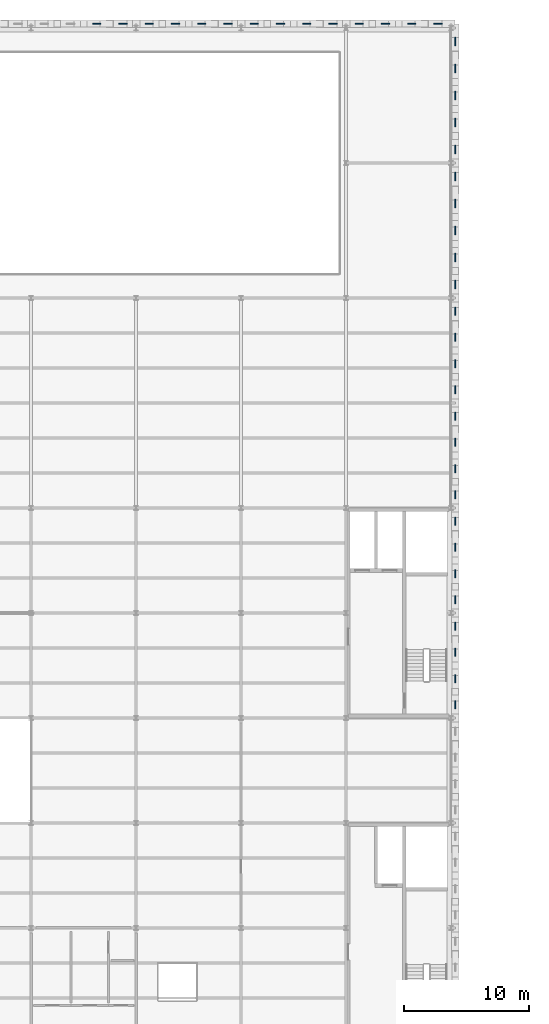
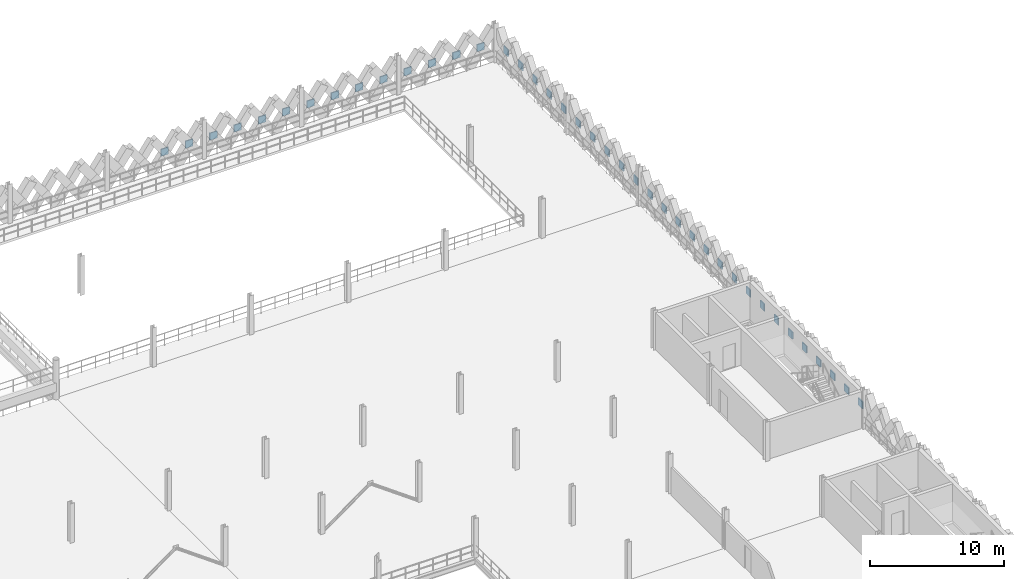
# One storey, part 57 of 74: 40 plates.
"""IFC4 building model written with IfcOpenShell, lengths in metres."""

from ifc_helpers import new_model, si_unit, direction, frame, origin, origin_2d, place, context, subcontext, project, spatial, rectangle, extrude, material, layer, layer_set, type_object, element, save


model = new_model("IFC4")

# Units and contexts
model_context = context("Model", 3, precision=1e-05, world=origin(), true_north=direction((0.0, 1.0)))
body_context = subcontext(model_context, "Body", "Model", "MODEL_VIEW")
ifc_project = project(units=[si_unit("LENGTHUNIT", "METRE"), si_unit("AREAUNIT", "SQUARE_METRE"), si_unit("VOLUMEUNIT", "CUBIC_METRE"), si_unit("PLANEANGLEUNIT", "RADIAN"), si_unit("MASSUNIT", "GRAM", prefix="KILO"), si_unit("THERMODYNAMICTEMPERATUREUNIT", "KELVIN"), si_unit("POWERUNIT", "WATT")], contexts=[model_context])

# Site, building, storey
site_placement = place(None, origin())
site = spatial("IfcSite", under=ifc_project, at=site_placement, CompositionType="ELEMENT")
building_placement = place(site_placement, origin())
building = spatial("IfcBuilding", under=site, at=building_placement, Name="Tembeka Court Mobility Hub", CompositionType="ELEMENT")
storey_placement = place(building_placement, frame((0.0, 0.0, 12.60009765625)))
storey = spatial("IfcBuildingStorey", under=building, at=storey_placement, Name="L03", CompositionType="ELEMENT", Elevation=12.60009765625)

# Plates
ifc_material = material(Name="Precast concrete C45/55", Category="concrete")
ifc_layer = layer(ifc_material, 0.090087890625)
ifc_layer_set = layer_set([ifc_layer], Name="Precast concrete C45/55")
plate_type = type_object("IfcPlateType", Name="PL-PC01", PredefinedType="SHEET", material=ifc_layer_set)
for number, where, z_axis, x_axis, name in (
    (1, (64.050048828125, 119.139892578125, 1.159912109375), (0.0, 0.0, 1.0), (1.0, 0.0, 0.0), "Precast diamond lattice node plate PCN01 (L03-463)"),
    (2, (66.14990234375, 119.139892578125, 1.159912109375), (0.0, 0.0, 1.0), (1.0, 0.0, 0.0), "Precast diamond lattice node plate PCN01 (L03-464)"),
    (3, (68.25, 119.139892578125, 1.159912109375), (0.0, 0.0, 1.0), (1.0, 0.0, 0.0), "Precast diamond lattice node plate PCN01 (L03-465)"),
    (4, (70.35009765625, 119.139892578125, 1.159912109375), (0.0, 0.0, 1.0), (1.0, 0.0, 0.0), "Precast diamond lattice node plate PCN01 (L03-466)"),
    (5, (72.449951171875, 119.139892578125, 1.159912109375), (0.0, 0.0, 1.0), (1.0, 0.0, 0.0), "Precast diamond lattice node plate PCN01 (L03-467)"),
    (6, (74.550048828125, 119.139892578125, 1.159912109375), (0.0, 0.0, 1.0), (1.0, 0.0, 0.0), "Precast diamond lattice node plate PCN01 (L03-468)"),
    (7, (76.64990234375, 119.139892578125, 1.159912109375), (0.0, 0.0, 1.0), (1.0, 0.0, 0.0), "Precast diamond lattice node plate PCN01 (L03-469)"),
    (8, (78.75, 119.139892578125, 1.159912109375), (0.0, 0.0, 1.0), (1.0, 0.0, 0.0), "Precast diamond lattice node plate PCN01 (L03-470)"),
    (9, (80.85009765625, 119.139892578125, 1.159912109375), (0.0, 0.0, 1.0), (1.0, 0.0, 0.0), "Precast diamond lattice node plate PCN01 (L03-471)"),
    (10, (82.949951171875, 119.139892578125, 1.159912109375), (0.0, 0.0, 1.0), (1.0, 0.0, 0.0), "Precast diamond lattice node plate PCN01 (L03-472)"),
    (11, (85.050048828125, 119.139892578125, 1.159912109375), (0.0, 0.0, 1.0), (1.0, 0.0, 0.0), "Precast diamond lattice node plate PCN01 (L03-473)"),
    (12, (87.14990234375, 119.139892578125, 1.159912109375), (0.0, 0.0, 1.0), (1.0, 0.0, 0.0), "Precast diamond lattice node plate PCN01 (L03-474)"),
    (13, (89.25, 119.139892578125, 1.159912109375), (0.0, 0.0, 1.0), (1.0, 0.0, 0.0), "Precast diamond lattice node plate PCN01 (L03-475)"),
    (14, (91.35009765625, 119.139892578125, 1.159912109375), (0.0, 0.0, 1.0), (1.0, 0.0, 0.0), "Precast diamond lattice node plate PCN01 (L03-476)"),
):
    element("IfcPlate", number, at=place(storey_placement, frame(where, z_axis=z_axis, x_axis=x_axis)), inside=storey, type_object=plate_type, Name=name, PredefinedType="SHEET", context=body_context, shape_type="SweptSolid", body=[
        extrude(rectangle(XDim=0.64990234375, YDim=0.090087890625, at=origin_2d()), origin(), (0.0, 0.0, 1.0), 0.64990234375),
    ])
for number, where, z_axis, x_axis, name in (
    (15, (92.739990234375, 64.64990234375, 1.159912109375), (0.0, 0.0, 1.0), (1.0, 0.0, 0.0), "Precast diamond lattice node plate PCN01 (L03-563)"),
    (16, (92.739990234375, 66.75, 1.159912109375), (0.0, 0.0, 1.0), (1.0, 0.0, 0.0), "Precast diamond lattice node plate PCN01 (L03-564)"),
    (17, (92.739990234375, 68.85009765625, 1.159912109375), (0.0, 0.0, 1.0), (1.0, 0.0, 0.0), "Precast diamond lattice node plate PCN01 (L03-565)"),
    (18, (92.739990234375, 70.949951171875, 1.159912109375), (0.0, 0.0, 1.0), (1.0, 0.0, 0.0), "Precast diamond lattice node plate PCN01 (L03-566)"),
    (19, (92.739990234375, 73.050048828125, 1.159912109375), (0.0, 0.0, 1.0), (1.0, 0.0, 0.0), "Precast diamond lattice node plate PCN01 (L03-567)"),
    (20, (92.739990234375, 75.14990234375, 1.159912109375), (0.0, 0.0, 1.0), (1.0, 0.0, 0.0), "Precast diamond lattice node plate PCN01 (L03-568)"),
    (21, (92.739990234375, 77.25, 1.159912109375), (0.0, 0.0, 1.0), (1.0, 0.0, 0.0), "Precast diamond lattice node plate PCN01 (L03-569)"),
    (22, (92.739990234375, 79.35009765625, 1.159912109375), (0.0, 0.0, 1.0), (1.0, 0.0, 0.0), "Precast diamond lattice node plate PCN01 (L03-570)"),
    (23, (92.739990234375, 81.449951171875, 1.159912109375), (0.0, 0.0, 1.0), (1.0, 0.0, 0.0), "Precast diamond lattice node plate PCN01 (L03-571)"),
    (24, (92.739990234375, 83.550048828125, 1.159912109375), (0.0, 0.0, 1.0), (1.0, 0.0, 0.0), "Precast diamond lattice node plate PCN01 (L03-572)"),
    (25, (92.739990234375, 85.64990234375, 1.159912109375), (0.0, 0.0, 1.0), (1.0, 0.0, 0.0), "Precast diamond lattice node plate PCN01 (L03-573)"),
    (26, (92.739990234375, 87.75, 1.159912109375), (0.0, 0.0, 1.0), (1.0, 0.0, 0.0), "Precast diamond lattice node plate PCN01 (L03-574)"),
    (27, (92.739990234375, 89.85009765625, 1.159912109375), (0.0, 0.0, 1.0), (1.0, 0.0, 0.0), "Precast diamond lattice node plate PCN01 (L03-575)"),
    (28, (92.739990234375, 91.949951171875, 1.159912109375), (0.0, 0.0, 1.0), (1.0, 0.0, 0.0), "Precast diamond lattice node plate PCN01 (L03-576)"),
    (29, (92.739990234375, 94.050048828125, 1.159912109375), (0.0, 0.0, 1.0), (1.0, 0.0, 0.0), "Precast diamond lattice node plate PCN01 (L03-577)"),
    (30, (92.739990234375, 96.14990234375, 1.159912109375), (0.0, 0.0, 1.0), (1.0, 0.0, 0.0), "Precast diamond lattice node plate PCN01 (L03-578)"),
    (31, (92.739990234375, 98.280029296875, 1.159912109375), (0.0, 0.0, 1.0), (1.0, 0.0, 0.0), "Precast diamond lattice node plate PCN01 (L03-579)"),
    (32, (92.739990234375, 100.43994140625, 1.159912109375), (0.0, 0.0, 1.0), (1.0, 0.0, 0.0), "Precast diamond lattice node plate PCN01 (L03-580)"),
    (33, (92.739990234375, 102.60009765625, 1.159912109375), (0.0, 0.0, 1.0), (1.0, 0.0, 0.0), "Precast diamond lattice node plate PCN01 (L03-581)"),
    (34, (92.739990234375, 104.760009765625, 1.159912109375), (0.0, 0.0, 1.0), (1.0, 0.0, 0.0), "Precast diamond lattice node plate PCN01 (L03-582)"),
    (35, (92.739990234375, 106.919921875, 1.159912109375), (0.0, 0.0, 1.0), (1.0, 0.0, 0.0), "Precast diamond lattice node plate PCN01 (L03-583)"),
    (36, (92.739990234375, 109.080078125, 1.159912109375), (0.0, 0.0, 1.0), (1.0, 0.0, 0.0), "Precast diamond lattice node plate PCN01 (L03-584)"),
    (37, (92.739990234375, 111.239990234375, 1.159912109375), (0.0, 0.0, 1.0), (1.0, 0.0, 0.0), "Precast diamond lattice node plate PCN01 (L03-585)"),
    (38, (92.739990234375, 113.39990234375, 1.159912109375), (0.0, 0.0, 1.0), (1.0, 0.0, 0.0), "Precast diamond lattice node plate PCN01 (L03-586)"),
    (39, (92.739990234375, 115.56005859375, 1.159912109375), (0.0, 0.0, 1.0), (1.0, 0.0, 0.0), "Precast diamond lattice node plate PCN01 (L03-587)"),
    (40, (92.739990234375, 117.719970703125, 1.159912109375), (0.0, 0.0, 1.0), (1.0, 0.0, 0.0), "Precast diamond lattice node plate PCN01 (L03-588)"),
):
    element("IfcPlate", number, at=place(storey_placement, frame(where, z_axis=z_axis, x_axis=x_axis)), inside=storey, type_object=plate_type, Name=name, PredefinedType="SHEET", context=body_context, shape_type="SweptSolid", body=[
        extrude(rectangle(XDim=0.090087890625, YDim=0.64990234375, at=origin_2d()), origin(), (0.0, 0.0, 1.0), 0.64990234375),
    ])

save(model, "model.ifc")
